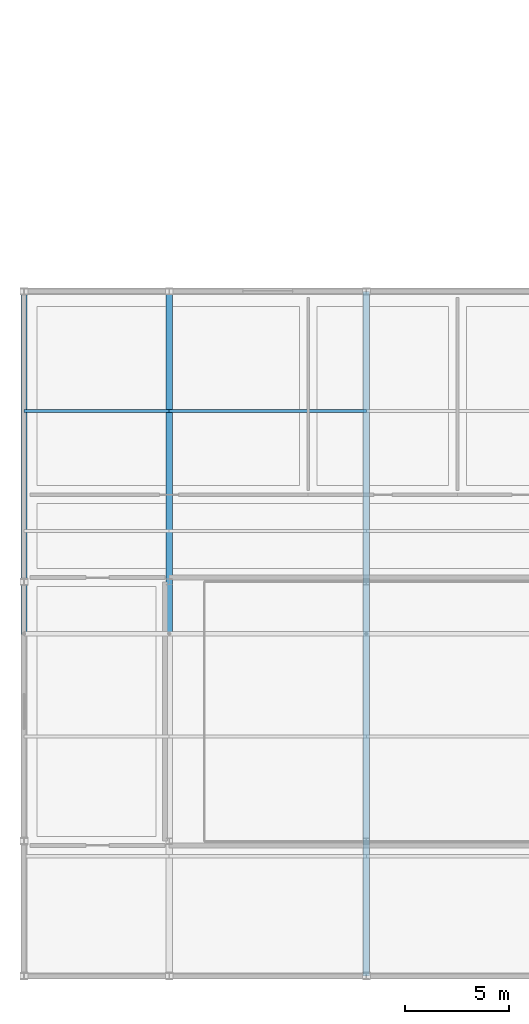
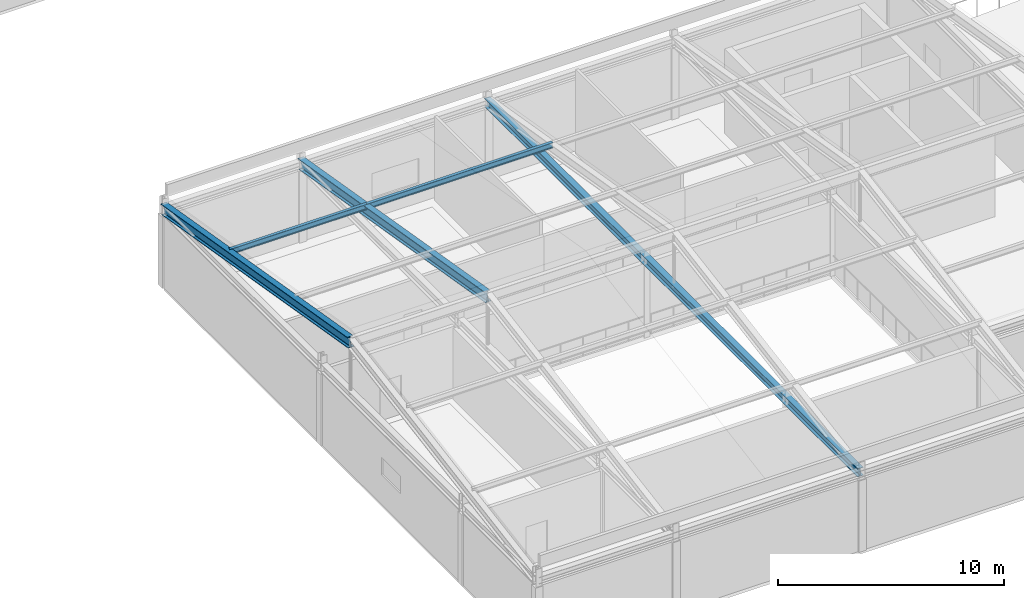
# One storey, part 20 of 108: 4 members, 1 beam.
"""IFC4 building model written with IfcOpenShell, lengths in metres."""

from ifc_helpers import new_model, si_unit, direction, frame, origin, origin_2d, place, context, subcontext, project, spatial, i_section, extrude, material, material_profile, profile_set, type_object, element, save


model = new_model("IFC4")

# Units and contexts
model_context = context("Model", 3, precision=1e-05, world=origin(), true_north=direction((0.0, 1.0)))
body_context = subcontext(model_context, "Body", "Model", "MODEL_VIEW")
ifc_project = project(units=[si_unit("LENGTHUNIT", "METRE"), si_unit("AREAUNIT", "SQUARE_METRE"), si_unit("VOLUMEUNIT", "CUBIC_METRE"), si_unit("PLANEANGLEUNIT", "RADIAN"), si_unit("MASSUNIT", "GRAM", prefix="KILO")], contexts=[model_context])

# Site, building, storey
site_placement = place(None, origin())
site = spatial("IfcSite", under=ifc_project, at=site_placement, CompositionType="ELEMENT")
building_placement = place(site_placement, origin())
building = spatial("IfcBuilding", under=site, at=building_placement, Name="Tarnveldt Headland Concert Hall", CompositionType="ELEMENT")
storey_placement = place(building_placement, frame((0.0, 0.0, 9.60009765625)))
storey = spatial("IfcBuildingStorey", under=building, at=storey_placement, Name="L02", CompositionType="ELEMENT", Elevation=9.60009765625)

# Members
ifc_material = material(Name="Steel S355", Category="steel")
ifc_material_profile_1 = material_profile(ifc_material, i_section(OverallWidth=0.14990234375, OverallDepth=0.300048828125, WebThickness=0.007080078125, FlangeThickness=0.0107421875, FilletRadius=0.014892578125, at=origin_2d()), Name="IPE300", Category="steel")
ifc_profile_set_1 = profile_set([ifc_material_profile_1], Name="Steel S355")
member_type_1 = type_object("IfcMemberType", Name="PR-IPE300", PredefinedType="PURLIN", material=ifc_profile_set_1)
member_1_placement = place(storey_placement, frame((7.5, 32.22509765625, 5.33984375), z_axis=(1.0, 0.0, 0.0), x_axis=(0.0, 1.0, 0.0)))
element("IfcMember", 1, at=member_1_placement, inside=storey, type_object=member_type_1, Name="Chamber roof purlin 1N-35", PredefinedType="PURLIN", context=body_context, shape_type="SweptSolid", body=[
    extrude(i_section(OverallWidth=0.14990234375, OverallDepth=0.300048828125, WebThickness=0.007080078125, FlangeThickness=0.0107421875, FilletRadius=0.014892578125, at=origin_2d()), origin(), (0.0, 0.0, 1.0), 7.0),
])
member_2_placement = place(storey_placement, frame((14.5, 32.22509765625, 5.33984375), z_axis=(1.0, 0.0, 0.0), x_axis=(0.0, 1.0, 0.0)))
element("IfcMember", 2, at=member_2_placement, inside=storey, type_object=member_type_1, Name="Chamber roof purlin 2N-35", PredefinedType="PURLIN", context=body_context, shape_type="SweptSolid", body=[
    extrude(i_section(OverallWidth=0.14990234375, OverallDepth=0.300048828125, WebThickness=0.007080078125, FlangeThickness=0.0107421875, FilletRadius=0.014892578125, at=origin_2d()), origin(), (0.0, 0.0, 1.0), 9.5),
])
ifc_material_profile_2 = material_profile(ifc_material, i_section(OverallWidth=0.300048828125, OverallDepth=0.550048828125, WebThickness=0.014892578125, FlangeThickness=0.029052734375, FilletRadius=0.027099609375, at=origin_2d()), Name="HEB550", Category="steel")
ifc_profile_set_2 = profile_set([ifc_material_profile_2], Name="Steel S355")
member_type_2 = type_object("IfcMemberType", Name="RF-HEB550", PredefinedType="RAFTER", material=ifc_profile_set_2)
for number, where, z_axis, x_axis, name in (
    (3, (7.5, 21.5, 6.9599609375), (0.0, 0.985904685139, -0.167307955046), (-1.0, 0.0, 0.0), "ROOF TRUSS Chamber folded rib 7N"),
    (4, (14.5, 21.5, 6.9599609375), (0.0, 0.985904685139, -0.167307955046), (-1.0, 0.0, 0.0), "ROOF TRUSS Chamber folded rib 14N"),
):
    element("IfcMember", number, at=place(storey_placement, frame(where, z_axis=z_axis, x_axis=x_axis)), inside=storey, type_object=member_type_2, Name=name, PredefinedType="RAFTER", context=body_context, shape_type="SweptSolid", body=[
        extrude(i_section(OverallWidth=0.300048828125, OverallDepth=0.550048828125, WebThickness=0.014892578125, FlangeThickness=0.029052734375, FilletRadius=0.027099609375, at=origin_2d()), origin(), (0.0, 0.0, 1.0), 16.73583984375),
    ])

# Beam
ifc_material_profile_3 = material_profile(ifc_material, i_section(OverallWidth=0.300048828125, OverallDepth=0.449951171875, WebThickness=0.013916015625, FlangeThickness=0.02587890625, FilletRadius=0.027099609375, at=origin_2d()), Name="HEB450", Category="steel")
ifc_profile_set_3 = profile_set([ifc_material_profile_3], Name="Steel S355")
beam_type = type_object("IfcBeamType", Name="SB-HEB450", PredefinedType="BEAM", material=ifc_profile_set_3)
beam_placement = place(storey_placement, frame((24.0, 5.0, 4.159912109375), z_axis=(0.0, 1.0, 0.0), x_axis=(-1.0, 0.0, 0.0)))
element("IfcBeam", 5, at=beam_placement, inside=storey, type_object=beam_type, Name="ROOF TRUSS Chamber bottom tie 24", PredefinedType="BEAM", context=body_context, shape_type="SweptSolid", body=[
    extrude(i_section(OverallWidth=0.300048828125, OverallDepth=0.449951171875, WebThickness=0.013916015625, FlangeThickness=0.02587890625, FilletRadius=0.027099609375, at=origin_2d()), origin(), (0.0, 0.0, 1.0), 33.0),
])

save(model, "model.ifc")
